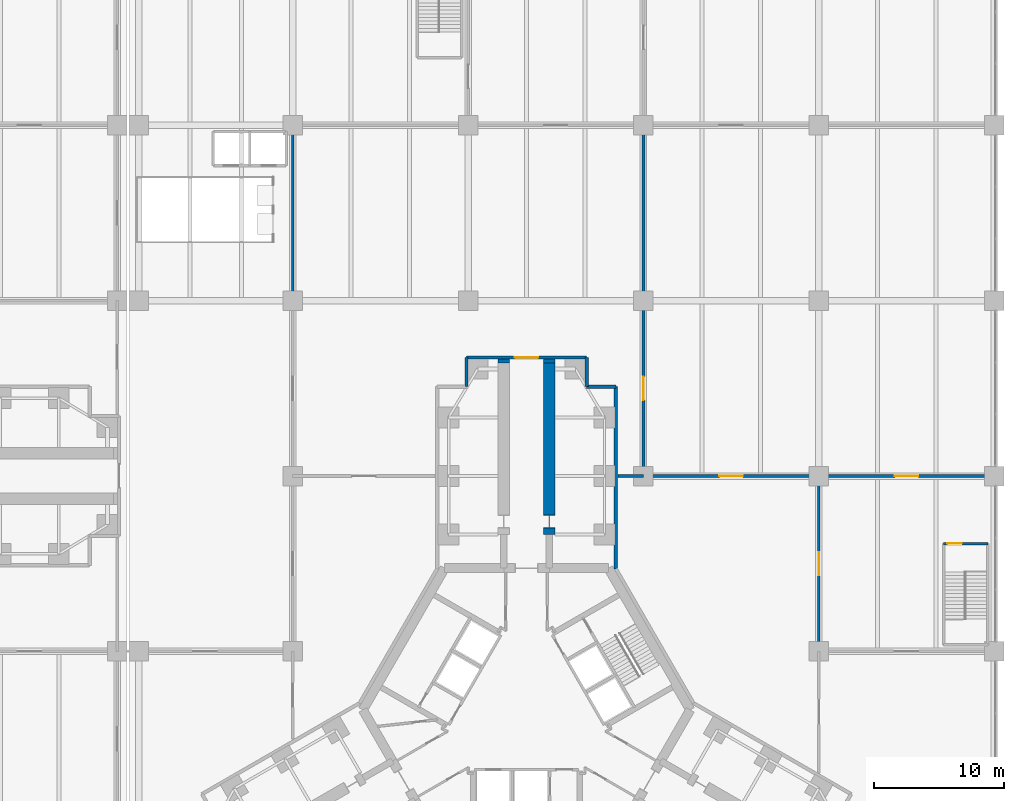
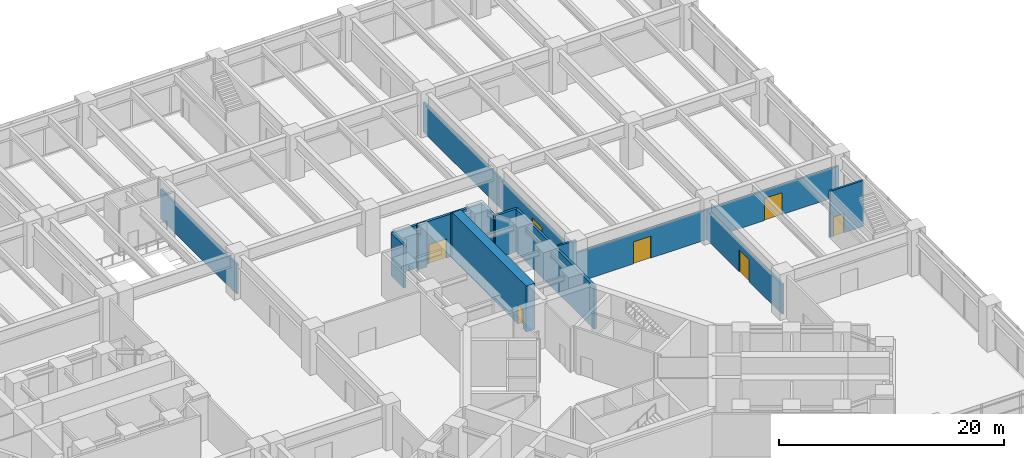
# One storey, part 27 of 31: 16 walls, 7 doors, 7 openings.
"""IFC4 building model written with IfcOpenShell, lengths in metres."""

from ifc_helpers import new_model, si_unit, direction, frame, frame_2d, origin, place, context, subcontext, project, spatial, rectangle, extrude, material, layer, layer_set, type_object, element, fill, save


model = new_model("IFC4")

# Units and contexts
model_context = context("Model", 3, precision=1e-05, world=origin(), true_north=direction((0.0, 1.0)))
body_context = subcontext(model_context, "Body", "Model", "MODEL_VIEW")
ifc_project = project(units=[si_unit("LENGTHUNIT", "METRE"), si_unit("AREAUNIT", "SQUARE_METRE"), si_unit("VOLUMEUNIT", "CUBIC_METRE"), si_unit("PLANEANGLEUNIT", "RADIAN"), si_unit("MASSUNIT", "GRAM", prefix="KILO")], contexts=[model_context])

# Site, building, storey
site_placement = place(None, origin())
site = spatial("IfcSite", under=ifc_project, at=site_placement, CompositionType="ELEMENT")
building_placement = place(site_placement, origin())
building = spatial("IfcBuilding", under=site, at=building_placement, Name="Upepo Twin Towers", CompositionType="ELEMENT")
storey_placement = place(building_placement, frame((0.0, 0.0, 15.5)))
storey = spatial("IfcBuildingStorey", under=building, at=storey_placement, Name="L03", CompositionType="ELEMENT", Elevation=15.5)

# Walls
ifc_material_1 = material(Name="Dense concrete blockwork", Category="masonry")
ifc_layer_1 = layer(ifc_material_1, 0.89990234375)
ifc_layer_set_1 = layer_set([ifc_layer_1], Name="Buttress closer 900, blockwork with fire-stopping to the curtain wall")
wall_type_1 = type_object("IfcWallType", Name="Buttress closer 900, blockwork with fire-stopping to the curtain wall", PredefinedType="PARTITIONING", material=ifc_layer_set_1)
for number, where, z_axis, x_axis, name in (
    (1, (56.75, 8.699951171875, 0.0), (0.0, 0.0, 1.0), (0.0, 1.0, 0.0), "T2 L03 wing A buttress closer L"),
    (2, (60.25, 8.699951171875, 0.0), (0.0, 0.0, 1.0), (0.0, 1.0, 0.0), "T2 L03 wing A buttress closer R"),
):
    element("IfcWall", number, at=place(storey_placement, frame(where, z_axis=z_axis, x_axis=x_axis)), inside=storey, type_object=wall_type_1, Name=name, PredefinedType="PARTITIONING", context=body_context, shape_type="SweptSolid", body=[
        extrude(rectangle(XDim=0.300048828125, YDim=0.89990234375, at=frame_2d((0.14990234375, 0.0))), origin(), (0.0, 0.0, 1.0), 4.800048828125),
    ])

# Wall, opening, door
ifc_material_2 = material(Name="Concrete C60/75", Category="concrete")
ifc_layer_2 = layer(ifc_material_2, 0.89990234375)
ifc_layer_set_2 = layer_set([ifc_layer_2], Name="Concrete C60/75")
wall_type_2 = type_object("IfcWallType", Name="Buttress wall 900 RC", PredefinedType="SHEAR", material=ifc_layer_set_2)
wall_1_placement = place(storey_placement, frame((60.25, -4.5, 0.0), z_axis=(0.0, 0.0, 1.0), x_axis=(0.0, 1.0, 0.0)))
wall_1 = element("IfcWall", 3, at=wall_1_placement, inside=storey, type_object=wall_type_2, Name="T2 wing A buttress wall R part 2", PredefinedType="SHEAR", context=body_context, shape_type="SweptSolid", body=[
    extrude(rectangle(XDim=13.199951171875, YDim=0.89990234375, at=frame_2d((6.60009765625, 0.0))), origin(), (0.0, 0.0, 1.0), 5.0),
])
opening_1_placement = place(wall_1_placement, frame((0.5, 0.0, 0.0)))
opening_1 = element("IfcOpeningElement", 4, at=opening_1_placement, cuts=wall_1, Name="Opening D1", PredefinedType="OPENING", context=body_context, shape_type="SweptSolid", body=[
    extrude(rectangle(XDim=1.0, YDim=2.10009765625, at=frame_2d((0.5, 1.050048828125))), frame((0.0, 0.4599609375, 0.0), z_axis=(0.0, -1.0, 0.0), x_axis=(1.0, 0.0, 0.0)), (0.0, 0.0, 1.0), 0.919921875),
])
ifc_material_3 = material(Name="Timber doorset", Category="wood")
door_type_1 = type_object("IfcDoorType", Name="Room door 1000 FD30", OperationType="SINGLE_SWING_LEFT", PredefinedType="DOOR", material=ifc_material_3)
door_1_placement = place(opening_1_placement, origin())
door_1 = element("IfcDoor", 5, at=door_1_placement, inside=storey, type_object=door_type_1, Name="T2 L03 research office door", OperationType="SINGLE_SWING_LEFT", OverallHeight=2.10009765625, OverallWidth=1.0, PredefinedType="DOOR", context=body_context, shape_type="SweptSolid", body=[
    extrude(rectangle(XDim=0.92, YDim=2.06009765625, at=frame_2d((0.5, 1.030029296875))), frame((0.0, 0.02490234375, 0.0), z_axis=(0.0, -1.0, 0.0), x_axis=(1.0, 0.0, 0.0)), (0.0, 0.0, 1.0), 0.050048828125),
    extrude(rectangle(XDim=0.04, YDim=2.10009765625, at=frame_2d((0.02001953125, 1.050048828125))), frame((0.0, 0.44970703125, 0.0), z_axis=(0.0, -1.0, 0.0), x_axis=(1.0, 0.0, 0.0)), (0.0, 0.0, 1.0), 0.8994140625),
    extrude(rectangle(XDim=0.04, YDim=2.10009765625, at=frame_2d((0.97998046875, 1.050048828125))), frame((0.0, 0.44970703125, 0.0), z_axis=(0.0, -1.0, 0.0), x_axis=(1.0, 0.0, 0.0)), (0.0, 0.0, 1.0), 0.8994140625),
    extrude(rectangle(XDim=0.92, YDim=0.04, at=frame_2d((0.5, 2.080078125))), frame((0.0, 0.44970703125, 0.0), z_axis=(0.0, -1.0, 0.0), x_axis=(1.0, 0.0, 0.0)), (0.0, 0.0, 1.0), 0.8994140625),
])
fill(opening_1, door_1)

# Walls
ifc_material_4 = material(Name="Concrete blockwork", Category="masonry")
ifc_layer_3 = layer(ifc_material_4, 0.199951171875)
ifc_layer_set_3 = layer_set([ifc_layer_3], Name="Podium partition 200 blockwork")
wall_type_3 = type_object("IfcWallType", Name="Podium partition 200 blockwork", PredefinedType="PARTITIONING", material=ifc_layer_set_3)
wall_2_placement = place(storey_placement, frame((40.5, 13.5, 0.0), z_axis=(0.0, 0.0, 1.0), x_axis=(0.0, 1.0, 0.0)))
element("IfcWall", 6, at=wall_2_placement, inside=storey, type_object=wall_type_3, Name="L03 podium wall X54", PredefinedType="PARTITIONING", context=body_context, shape_type="SweptSolid", body=[
    extrude(rectangle(XDim=13.5, YDim=0.199951171875, at=frame_2d((6.75, 0.0))), origin(), (0.0, 0.0, 1.0), 3.25),
])
wall_3_placement = place(storey_placement, frame((65.550048828125, 0.0, 0.0), z_axis=(0.0, 0.0, 1.0), x_axis=(1.0, 0.0, 0.0)))
element("IfcWall", 7, at=wall_3_placement, inside=storey, type_object=wall_type_3, Name="L03 podium wall Y63", PredefinedType="PARTITIONING", context=body_context, shape_type="SweptSolid", body=[
    extrude(rectangle(XDim=1.949951171875, YDim=0.199951171875, at=frame_2d((0.97509765625, 0.0))), origin(), (0.0, 0.0, 1.0), 4.64990234375),
])

# Wall, opening, door
wall_4_placement = place(storey_placement, frame((67.5, 0.0, 0.0), z_axis=(0.0, 0.0, 1.0), x_axis=(0.0, 1.0, 0.0)))
wall_4 = element("IfcWall", 8, at=wall_4_placement, inside=storey, type_object=wall_type_3, Name="L03 podium wall X73", PredefinedType="PARTITIONING", context=body_context, shape_type="SweptSolid", body=[
    extrude(rectangle(XDim=13.5, YDim=0.199951171875, at=frame_2d((6.75, 0.0))), origin(), (0.0, 0.0, 1.0), 3.25),
])
opening_2_placement = place(wall_4_placement, frame((5.85009765625, 0.0, 0.0)))
opening_2 = element("IfcOpeningElement", 9, at=opening_2_placement, cuts=wall_4, Name="Opening D10", PredefinedType="OPENING", context=body_context, shape_type="SweptSolid", body=[
    extrude(rectangle(XDim=1.800048828125, YDim=2.39990234375, at=frame_2d((0.89990234375, 1.199951171875))), frame((0.0, 0.10986328125, 0.0), z_axis=(0.0, -1.0, 0.0), x_axis=(1.0, 0.0, 0.0)), (0.0, 0.0, 1.0), 0.219970703125),
])
ifc_material_5 = material(Name="Timber doorset", Category="wood")
door_type_2 = type_object("IfcDoorType", Name="Podium double door 1800", OperationType="DOUBLE_DOOR_DOUBLE_SWING", PredefinedType="DOOR", material=ifc_material_5)
door_2_placement = place(opening_2_placement, origin())
door_2 = element("IfcDoor", 10, at=door_2_placement, inside=storey, type_object=door_type_2, Name="L03 fitness and sports studio-research laboratory 3.03 door", OperationType="DOUBLE_DOOR_DOUBLE_SWING", OverallHeight=2.39990234375, OverallWidth=1.800048828125, PredefinedType="DOOR", context=body_context, shape_type="SweptSolid", body=[
    extrude(rectangle(XDim=1.800048828125, YDim=2.39990234375, at=frame_2d((0.89990234375, 1.199951171875))), frame((0.0, 0.02490234375, 0.0), z_axis=(0.0, -1.0, 0.0), x_axis=(1.0, 0.0, 0.0)), (0.0, 0.0, 1.0), 0.050048828125),
])
fill(opening_2, door_2)

# Wall
wall_5_placement = place(storey_placement, frame((67.5, 13.5, 0.0), z_axis=(0.0, 0.0, 1.0), x_axis=(0.0, 1.0, 0.0)))
element("IfcWall", 11, at=wall_5_placement, inside=storey, type_object=wall_type_3, Name="L03 podium wall X74", PredefinedType="PARTITIONING", context=body_context, shape_type="SweptSolid", body=[
    extrude(rectangle(XDim=13.5, YDim=0.199951171875, at=frame_2d((6.75, 0.0))), origin(), (0.0, 0.0, 1.0), 3.25),
])

# Wall, opening, door
wall_6_placement = place(storey_placement, frame((81.0, -13.5, 0.0), z_axis=(0.0, 0.0, 1.0), x_axis=(0.0, 1.0, 0.0)))
wall_6 = element("IfcWall", 12, at=wall_6_placement, inside=storey, type_object=wall_type_3, Name="L03 podium wall X82", PredefinedType="PARTITIONING", context=body_context, shape_type="SweptSolid", body=[
    extrude(rectangle(XDim=13.5, YDim=0.199951171875, at=frame_2d((6.75, 0.0))), origin(), (0.0, 0.0, 1.0), 3.25),
])
opening_3_placement = place(wall_6_placement, frame((5.85009765625, 0.0, 0.0)))
opening_3 = element("IfcOpeningElement", 13, at=opening_3_placement, cuts=wall_6, Name="Opening D10", PredefinedType="OPENING", context=body_context, shape_type="SweptSolid", body=[
    extrude(rectangle(XDim=1.800048828125, YDim=2.39990234375, at=frame_2d((0.89990234375, 1.199951171875))), frame((0.0, 0.10986328125, 0.0), z_axis=(0.0, -1.0, 0.0), x_axis=(1.0, 0.0, 0.0)), (0.0, 0.0, 1.0), 0.219970703125),
])
door_3_placement = place(opening_3_placement, origin())
door_3 = element("IfcDoor", 14, at=door_3_placement, inside=storey, type_object=door_type_2, Name="L03 research offices 3.01 door", OperationType="DOUBLE_DOOR_DOUBLE_SWING", OverallHeight=2.39990234375, OverallWidth=1.800048828125, PredefinedType="DOOR", context=body_context, shape_type="SweptSolid", body=[
    extrude(rectangle(XDim=1.800048828125, YDim=2.39990234375, at=frame_2d((0.89990234375, 1.199951171875))), frame((0.0, 0.02490234375, 0.0), z_axis=(0.0, -1.0, 0.0), x_axis=(1.0, 0.0, 0.0)), (0.0, 0.0, 1.0), 0.050048828125),
])
fill(opening_3, door_3)

wall_7_placement = place(storey_placement, frame((67.5, 0.0, 0.0), z_axis=(0.0, 0.0, 1.0), x_axis=(1.0, 0.0, 0.0)))
wall_7 = element("IfcWall", 15, at=wall_7_placement, inside=storey, type_object=wall_type_3, Name="L03 podium wall Y73", PredefinedType="PARTITIONING", context=body_context, shape_type="SweptSolid", body=[
    extrude(rectangle(XDim=13.5, YDim=0.199951171875, at=frame_2d((6.75, 0.0))), origin(), (0.0, 0.0, 1.0), 3.25),
])
opening_4_placement = place(wall_7_placement, frame((5.85009765625, 0.0, 0.0)))
opening_4 = element("IfcOpeningElement", 16, at=opening_4_placement, cuts=wall_7, Name="Opening D10", PredefinedType="OPENING", context=body_context, shape_type="SweptSolid", body=[
    extrude(rectangle(XDim=1.800048828125, YDim=2.39990234375, at=frame_2d((0.89990234375, 1.199951171875))), frame((0.0, 0.10986328125, 0.0), z_axis=(0.0, -1.0, 0.0), x_axis=(1.0, 0.0, 0.0)), (0.0, 0.0, 1.0), 0.219970703125),
])
door_4_placement = place(opening_4_placement, origin())
door_4 = element("IfcDoor", 17, at=door_4_placement, inside=storey, type_object=door_type_2, Name="L03 research offices 3.01-research laboratory 3.03 door", OperationType="DOUBLE_DOOR_DOUBLE_SWING", OverallHeight=2.39990234375, OverallWidth=1.800048828125, PredefinedType="DOOR", context=body_context, shape_type="SweptSolid", body=[
    extrude(rectangle(XDim=1.800048828125, YDim=2.39990234375, at=frame_2d((0.89990234375, 1.199951171875))), frame((0.0, 0.02490234375, 0.0), z_axis=(0.0, -1.0, 0.0), x_axis=(1.0, 0.0, 0.0)), (0.0, 0.0, 1.0), 0.050048828125),
])
fill(opening_4, door_4)

wall_8_placement = place(storey_placement, frame((81.0, 0.0, 0.0), z_axis=(0.0, 0.0, 1.0), x_axis=(1.0, 0.0, 0.0)))
wall_8 = element("IfcWall", 18, at=wall_8_placement, inside=storey, type_object=wall_type_3, Name="L03 podium wall Y83", PredefinedType="PARTITIONING", context=body_context, shape_type="SweptSolid", body=[
    extrude(rectangle(XDim=13.5, YDim=0.199951171875, at=frame_2d((6.75, 0.0))), origin(), (0.0, 0.0, 1.0), 3.25),
])
opening_5_placement = place(wall_8_placement, frame((5.85009765625, 0.0, 0.0)))
opening_5 = element("IfcOpeningElement", 19, at=opening_5_placement, cuts=wall_8, Name="Opening D10", PredefinedType="OPENING", context=body_context, shape_type="SweptSolid", body=[
    extrude(rectangle(XDim=1.800048828125, YDim=2.39990234375, at=frame_2d((0.89990234375, 1.199951171875))), frame((0.0, 0.10986328125, 0.0), z_axis=(0.0, -1.0, 0.0), x_axis=(1.0, 0.0, 0.0)), (0.0, 0.0, 1.0), 0.219970703125),
])
door_5_placement = place(opening_5_placement, origin())
door_5 = element("IfcDoor", 20, at=door_5_placement, inside=storey, type_object=door_type_2, Name="L03 research laboratory 3.03 door", OperationType="DOUBLE_DOOR_DOUBLE_SWING", OverallHeight=2.39990234375, OverallWidth=1.800048828125, PredefinedType="DOOR", context=body_context, shape_type="SweptSolid", body=[
    extrude(rectangle(XDim=1.800048828125, YDim=2.39990234375, at=frame_2d((0.89990234375, 1.199951171875))), frame((0.0, 0.02490234375, 0.0), z_axis=(0.0, -1.0, 0.0), x_axis=(1.0, 0.0, 0.0)), (0.0, 0.0, 1.0), 0.050048828125),
])
fill(opening_5, door_5)

ifc_material_6 = material(Name="Concrete C40/50", Category="concrete")
ifc_layer_4 = layer(ifc_material_6, 0.199951171875)
ifc_layer_set_4 = layer_set([ifc_layer_4], Name="Concrete C40/50")
wall_type_4 = type_object("IfcWallType", Name="Podium stair enclosure 200 RC", PredefinedType="SHEAR", material=ifc_layer_set_4)
wall_9_placement = place(storey_placement, frame((94.0, -5.199951171875, 0.0), z_axis=(0.0, 0.0, 1.0), x_axis=(-1.0, 0.0, 0.0)))
wall_9 = element("IfcWall", 21, at=wall_9_placement, inside=storey, type_object=wall_type_4, Name="PS2 L03 enclosure wall 3", PredefinedType="SHEAR", context=body_context, shape_type="SweptSolid", body=[
    extrude(rectangle(XDim=3.39990234375, YDim=0.199951171875, at=frame_2d((1.699951171875, 0.0))), origin(), (0.0, 0.0, 1.0), 5.0),
])
opening_6_placement = place(wall_9_placement, frame((2.0, 0.0, 0.0)))
opening_6 = element("IfcOpeningElement", 22, at=opening_6_placement, cuts=wall_9, Name="Opening D3", PredefinedType="OPENING", context=body_context, shape_type="SweptSolid", body=[
    extrude(rectangle(XDim=1.10009765625, YDim=2.10009765625, at=frame_2d((0.550048828125, 1.050048828125))), frame((0.0, 0.10986328125, 0.0), z_axis=(0.0, -1.0, 0.0), x_axis=(1.0, 0.0, 0.0)), (0.0, 0.0, 1.0), 0.219970703125),
])
ifc_material_7 = material(Name="Timber doorset", Category="wood")
door_type_3 = type_object("IfcDoorType", Name="Stair door 1100 FD60", OperationType="SINGLE_SWING_LEFT", PredefinedType="DOOR", material=ifc_material_7)
door_6_placement = place(opening_6_placement, origin())
door_6 = element("IfcDoor", 23, at=door_6_placement, inside=storey, type_object=door_type_3, Name="PS2 L03 door", OperationType="SINGLE_SWING_RIGHT", OverallHeight=2.10009765625, OverallWidth=1.10009765625, PredefinedType="DOOR", context=body_context, shape_type="SweptSolid", body=[
    extrude(rectangle(XDim=1.10009765625, YDim=2.10009765625, at=frame_2d((0.550048828125, 1.050048828125))), frame((0.0, 0.02490234375, 0.0), z_axis=(0.0, -1.0, 0.0), x_axis=(1.0, 0.0, 0.0)), (0.0, 0.0, 1.0), 0.050048828125),
])
fill(opening_6, door_6)

# Wall
ifc_material_8 = material(Name="Concrete blockwork", Category="masonry")
ifc_layer_5 = layer(ifc_material_8, 0.25)
ifc_layer_set_5 = layer_set([ifc_layer_5], Name="Tower enclosure wall 250 blockwork")
wall_type_5 = type_object("IfcWallType", Name="Tower enclosure wall 250 blockwork", PredefinedType="STANDARD", material=ifc_layer_set_5)
wall_10_placement = place(storey_placement, frame((53.875, 6.875, 0.0), z_axis=(0.0, 0.0, 1.0), x_axis=(0.0, 1.0, 0.0)))
element("IfcWall", 24, at=wall_10_placement, inside=storey, type_object=wall_type_5, Name="T2 L03 enclosure wall 17", PredefinedType="STANDARD", context=body_context, shape_type="SweptSolid", body=[
    extrude(rectangle(XDim=2.25, YDim=0.25, at=frame_2d((1.125, 0.0))), origin(), (0.0, 0.0, 1.0), 4.64990234375),
])

# Wall, opening, door
wall_11_placement = place(storey_placement, frame((53.875, 9.125, 0.0), z_axis=(0.0, 0.0, 1.0), x_axis=(1.0, 0.0, 0.0)))
wall_11 = element("IfcWall", 25, at=wall_11_placement, inside=storey, type_object=wall_type_5, Name="T2 L03 enclosure wall 18", PredefinedType="STANDARD", context=body_context, shape_type="SweptSolid", body=[
    extrude(rectangle(XDim=9.25, YDim=0.25, at=frame_2d((4.625, 0.0))), origin(), (0.0, 0.0, 1.0), 4.64990234375),
])
opening_7_placement = place(wall_11_placement, frame((3.72509765625, 0.0, 0.0)))
opening_7 = element("IfcOpeningElement", 26, at=opening_7_placement, cuts=wall_11, Name="Opening D2", PredefinedType="OPENING", context=body_context, shape_type="SweptSolid", body=[
    extrude(rectangle(XDim=1.800048828125, YDim=2.10009765625, at=frame_2d((0.89990234375, 1.050048828125))), frame((0.0, 0.135009765625, 0.0), z_axis=(0.0, -1.0, 0.0), x_axis=(1.0, 0.0, 0.0)), (0.0, 0.0, 1.0), 0.27001953125),
])
ifc_material_9 = material(Name="Timber doorset", Category="wood")
door_type_4 = type_object("IfcDoorType", Name="Corridor double door 1800 FD60", OperationType="DOUBLE_DOOR_DOUBLE_SWING", PredefinedType="DOOR", material=ifc_material_9)
door_7_placement = place(opening_7_placement, origin())
door_7 = element("IfcDoor", 27, at=door_7_placement, inside=storey, type_object=door_type_4, Name="T2 L03 wing A podium door", OperationType="DOUBLE_DOOR_DOUBLE_SWING", OverallHeight=2.10009765625, OverallWidth=1.800048828125, PredefinedType="DOOR", context=body_context, shape_type="SweptSolid", body=[
    extrude(rectangle(XDim=1.800048828125, YDim=2.10009765625, at=frame_2d((0.89990234375, 1.050048828125))), frame((0.0, 0.02490234375, 0.0), z_axis=(0.0, -1.0, 0.0), x_axis=(1.0, 0.0, 0.0)), (0.0, 0.0, 1.0), 0.050048828125),
])
fill(opening_7, door_7)

# Walls
for number, where, z_axis, x_axis, name in (
    (28, (63.125, 9.125, 0.0), (0.0, 0.0, 1.0), (0.0, -1.0, 0.0), "T2 L03 enclosure wall 19"),
    (29, (63.125, 6.875, 0.0), (0.0, 0.0, 1.0), (1.0, 0.0, 0.0), "T2 L03 enclosure wall 20"),
):
    element("IfcWall", number, at=place(storey_placement, frame(where, z_axis=z_axis, x_axis=x_axis)), inside=storey, type_object=wall_type_5, Name=name, PredefinedType="STANDARD", context=body_context, shape_type="SweptSolid", body=[
        extrude(rectangle(XDim=2.25, YDim=0.25, at=frame_2d((1.125, 0.0))), origin(), (0.0, 0.0, 1.0), 4.64990234375),
    ])
wall_12_placement = place(storey_placement, frame((65.375, 6.875, 0.0), z_axis=(0.0, 0.0, 1.0), x_axis=(0.0, -1.0, 0.0)))
element("IfcWall", 30, at=wall_12_placement, inside=storey, type_object=wall_type_5, Name="T2 L03 enclosure wall 21", PredefinedType="STANDARD", context=body_context, shape_type="SweptSolid", body=[
    extrude(rectangle(XDim=14.01611328125, YDim=0.25, at=frame_2d((7.008056640625, 0.0))), origin(), (0.0, 0.0, 1.0), 4.64990234375),
])

save(model, "model.ifc")
